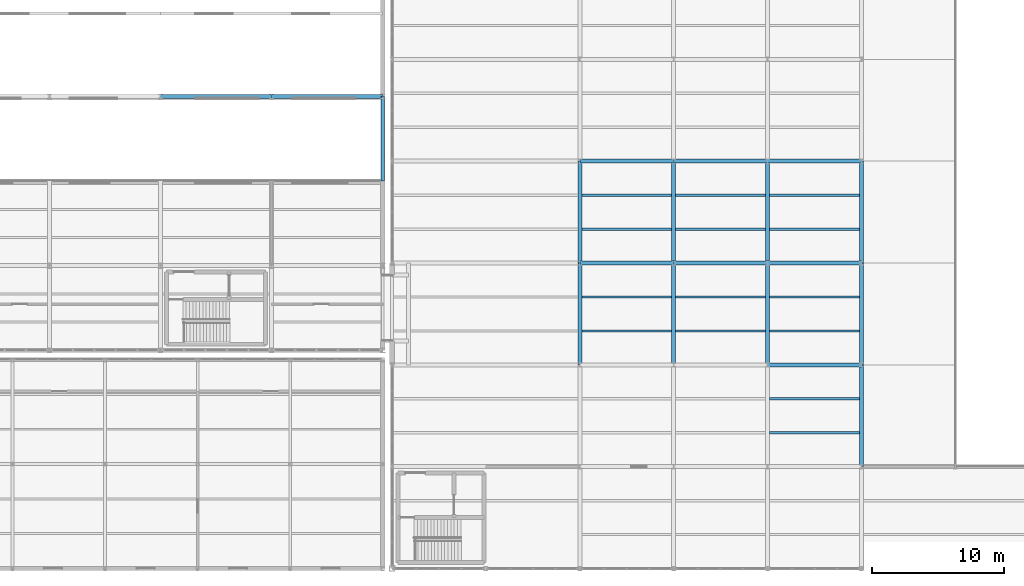
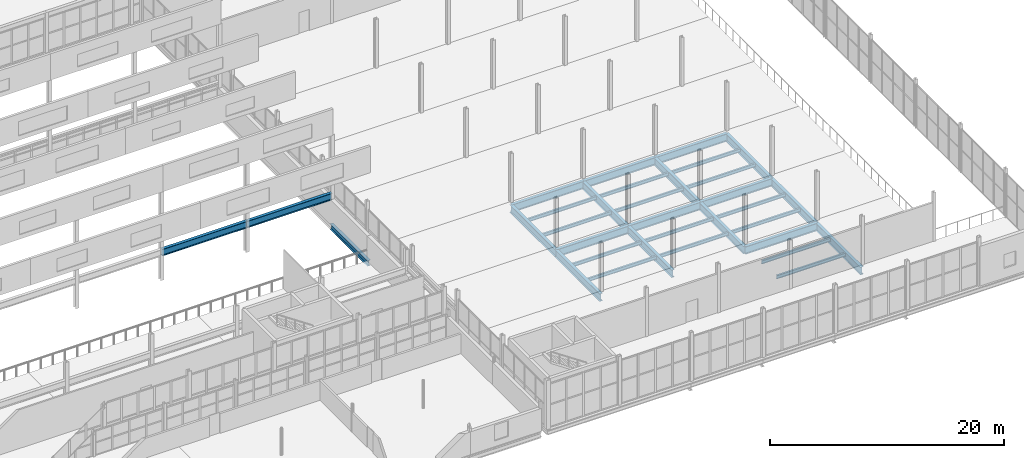
# One storey, part 121 of 218: 33 beams.
"""IFC4 building model written with IfcOpenShell, lengths in metres."""

from ifc_helpers import new_model, si_unit, direction, frame, origin, origin_2d, place, context, subcontext, project, spatial, i_section, extrude, material, material_profile, profile_set, type_object, element, save


model = new_model("IFC4")

# Units and contexts
model_context = context("Model", 3, precision=1e-05, world=origin(), true_north=direction((0.0, 1.0)))
body_context = subcontext(model_context, "Body", "Model", "MODEL_VIEW")
ifc_project = project(units=[si_unit("LENGTHUNIT", "METRE"), si_unit("AREAUNIT", "SQUARE_METRE"), si_unit("VOLUMEUNIT", "CUBIC_METRE"), si_unit("PLANEANGLEUNIT", "RADIAN"), si_unit("MASSUNIT", "GRAM", prefix="KILO")], contexts=[model_context])

# Site, building, storey
site_placement = place(None, origin())
site = spatial("IfcSite", under=ifc_project, at=site_placement, CompositionType="ELEMENT")
building_placement = place(site_placement, origin())
building = spatial("IfcBuilding", under=site, at=building_placement, Name="Kazenagashi Tramway Depot", CompositionType="ELEMENT")
storey_placement = place(building_placement, frame((0.0, 0.0, 6.0)))
storey = spatial("IfcBuildingStorey", under=building, at=storey_placement, Name="L02", CompositionType="ELEMENT", Elevation=6.0)

# Beams
ifc_material_1 = material(Name="Steel SN490B", Category="steel")
ifc_material_profile_1 = material_profile(ifc_material_1, i_section(OverallWidth=0.3, OverallDepth=0.7, WebThickness=0.013, FlangeThickness=0.024, at=origin_2d()), Name="H-700x300x13x24")
ifc_profile_set_1 = profile_set([ifc_material_profile_1], Name="Steel SN490B")
beam_type_1 = type_object("IfcBeamType", Name="G-02", PredefinedType="BEAM", material=ifc_profile_set_1)
for number, where, z_axis, x_axis, name in (
    (1, (128.8, 35.7, 2.85), (1.0, 0.0, 0.0), (0.0, 1.0, 0.0), "Beam G-02 BM-1171"),
    (2, (137.2, 35.7, 2.85), (1.0, 0.0, 0.0), (0.0, 1.0, 0.0), "Beam G-02 BM-1172"),
):
    element("IfcBeam", number, at=place(storey_placement, frame(where, z_axis=z_axis, x_axis=x_axis)), inside=storey, type_object=beam_type_1, Name=name, PredefinedType="BEAM", context=body_context, shape_type="SweptSolid", body=[
        extrude(i_section(OverallWidth=0.3, OverallDepth=0.7, WebThickness=0.013, FlangeThickness=0.024, at=origin_2d()), origin(), (0.0, 0.0, 1.0), 8.4),
    ])
ifc_material_profile_2 = material_profile(ifc_material_1, i_section(OverallWidth=0.3, OverallDepth=0.8, WebThickness=0.014, FlangeThickness=0.026, at=origin_2d()), Name="H-800x300x14x26")
ifc_profile_set_2 = profile_set([ifc_material_profile_2], Name="Steel SN490B")
beam_type_2 = type_object("IfcBeamType", Name="G-07", PredefinedType="BEAM", material=ifc_profile_set_2)
for number, where, z_axis, x_axis, name in (
    (3, (174.7, 15.4, -0.68), (1.0, 0.0, 0.0), (0.0, 1.0, 0.0), "Beam G-07 BM-1198"),
    (4, (160.5, 23.1, -0.68), (1.0, 0.0, 0.0), (0.0, 1.0, 0.0), "Beam G-07 BM-1200"),
    (5, (167.6, 23.1, -0.68), (1.0, 0.0, 0.0), (0.0, 1.0, 0.0), "Beam G-07 BM-1201"),
    (6, (174.7, 23.1, -0.68), (1.0, 0.0, 0.0), (0.0, 1.0, 0.0), "Beam G-07 BM-1202"),
    (7, (160.5, 30.8, -0.68), (1.0, 0.0, 0.0), (0.0, 1.0, 0.0), "Beam G-07 BM-1204"),
    (8, (167.6, 30.8, -0.68), (1.0, 0.0, 0.0), (0.0, 1.0, 0.0), "Beam G-07 BM-1205"),
    (9, (174.7, 30.8, -0.68), (1.0, 0.0, 0.0), (0.0, 1.0, 0.0), "Beam G-07 BM-1206"),
):
    element("IfcBeam", number, at=place(storey_placement, frame(where, z_axis=z_axis, x_axis=x_axis)), inside=storey, type_object=beam_type_2, Name=name, PredefinedType="BEAM", context=body_context, shape_type="SweptSolid", body=[
        extrude(i_section(OverallWidth=0.3, OverallDepth=0.8, WebThickness=0.014, FlangeThickness=0.026, at=origin_2d()), origin(), (0.0, 0.0, 1.0), 7.1),
    ])
for number, where, z_axis, x_axis, name in (
    (10, (160.5, 15.4, -0.68), (0.0, 1.0, 0.0), (-1.0, 0.0, 0.0), "Beam G-07 BM-1262"),
    (11, (160.5, 23.1, -0.68), (0.0, 1.0, 0.0), (-1.0, 0.0, 0.0), "Beam G-07 BM-1265"),
    (12, (167.6, 15.4, -0.68), (0.0, 1.0, 0.0), (-1.0, 0.0, 0.0), "Beam G-07 BM-1289"),
    (13, (167.6, 23.1, -0.68), (0.0, 1.0, 0.0), (-1.0, 0.0, 0.0), "Beam G-07 BM-1292"),
    (14, (174.7, 15.4, -0.68), (0.0, 1.0, 0.0), (-1.0, 0.0, 0.0), "Beam G-07 BM-1316"),
    (15, (174.7, 23.1, -0.68), (0.0, 1.0, 0.0), (-1.0, 0.0, 0.0), "Beam G-07 BM-1319"),
    (16, (181.8, 7.7, -0.68), (0.0, 1.0, 0.0), (-1.0, 0.0, 0.0), "Beam G-07 BM-1340"),
    (17, (181.8, 15.4, -0.68), (0.0, 1.0, 0.0), (-1.0, 0.0, 0.0), "Beam G-07 BM-1341"),
    (18, (181.8, 23.1, -0.68), (0.0, 1.0, 0.0), (-1.0, 0.0, 0.0), "Beam G-07 BM-1342"),
):
    element("IfcBeam", number, at=place(storey_placement, frame(where, z_axis=z_axis, x_axis=x_axis)), inside=storey, type_object=beam_type_2, Name=name, PredefinedType="BEAM", context=body_context, shape_type="SweptSolid", body=[
        extrude(i_section(OverallWidth=0.3, OverallDepth=0.8, WebThickness=0.014, FlangeThickness=0.026, at=origin_2d()), origin(), (0.0, 0.0, 1.0), 7.7),
    ])
ifc_material_2 = material(Name="Steel SN400B", Category="steel")
ifc_material_profile_3 = material_profile(ifc_material_2, i_section(OverallWidth=0.175, OverallDepth=0.35, WebThickness=0.007, FlangeThickness=0.011, at=origin_2d()), Name="H-350x175x7x11")
ifc_profile_set_3 = profile_set([ifc_material_profile_3], Name="Steel SN400B")
beam_type_3 = type_object("IfcBeamType", Name="J-01", PredefinedType="JOIST", material=ifc_profile_set_3)
for number, where, z_axis, x_axis, name in (
    (19, (160.65, 17.967, -0.455), (1.0, 0.0, 0.0), (0.0, 1.0, 0.0), "Beam J-01 BM-1263"),
    (20, (160.65, 20.533, -0.455), (1.0, 0.0, 0.0), (0.0, 1.0, 0.0), "Beam J-01 BM-1264"),
    (21, (160.65, 25.667, -0.455), (1.0, 0.0, 0.0), (0.0, 1.0, 0.0), "Beam J-01 BM-1266"),
    (22, (160.65, 28.233, -0.455), (1.0, 0.0, 0.0), (0.0, 1.0, 0.0), "Beam J-01 BM-1267"),
    (23, (167.75, 17.967, -0.455), (1.0, 0.0, 0.0), (0.0, 1.0, 0.0), "Beam J-01 BM-1290"),
    (24, (167.75, 20.533, -0.455), (1.0, 0.0, 0.0), (0.0, 1.0, 0.0), "Beam J-01 BM-1291"),
    (25, (167.75, 25.667, -0.455), (1.0, 0.0, 0.0), (0.0, 1.0, 0.0), "Beam J-01 BM-1293"),
    (26, (167.75, 28.233, -0.455), (1.0, 0.0, 0.0), (0.0, 1.0, 0.0), "Beam J-01 BM-1294"),
    (27, (174.85, 10.267, -0.455), (1.0, 0.0, 0.0), (0.0, 1.0, 0.0), "Beam J-01 BM-1314"),
    (28, (174.85, 12.833, -0.455), (1.0, 0.0, 0.0), (0.0, 1.0, 0.0), "Beam J-01 BM-1315"),
    (29, (174.85, 17.967, -0.455), (1.0, 0.0, 0.0), (0.0, 1.0, 0.0), "Beam J-01 BM-1317"),
    (30, (174.85, 20.533, -0.455), (1.0, 0.0, 0.0), (0.0, 1.0, 0.0), "Beam J-01 BM-1318"),
    (31, (174.85, 25.667, -0.455), (1.0, 0.0, 0.0), (0.0, 1.0, 0.0), "Beam J-01 BM-1320"),
    (32, (174.85, 28.233, -0.455), (1.0, 0.0, 0.0), (0.0, 1.0, 0.0), "Beam J-01 BM-1321"),
):
    element("IfcBeam", number, at=place(storey_placement, frame(where, z_axis=z_axis, x_axis=x_axis)), inside=storey, type_object=beam_type_3, Name=name, PredefinedType="JOIST", context=body_context, shape_type="SweptSolid", body=[
        extrude(i_section(OverallWidth=0.175, OverallDepth=0.35, WebThickness=0.007, FlangeThickness=0.011, at=origin_2d()), origin(), (0.0, 0.0, 1.0), 6.8),
    ])
ifc_material_profile_4 = material_profile(ifc_material_1, i_section(OverallWidth=0.3, OverallDepth=0.588, WebThickness=0.012, FlangeThickness=0.02, at=origin_2d()), Name="H-588x300x12x20")
ifc_profile_set_4 = profile_set([ifc_material_profile_4], Name="Steel SN490B")
beam_type_4 = type_object("IfcBeamType", Name="SP-01", PredefinedType="SPANDREL", material=ifc_profile_set_4)
beam_placement = place(storey_placement, frame((145.6, 29.3, -0.314), z_axis=(0.0, 1.0, 0.0), x_axis=(-1.0, 0.0, 0.0)))
element("IfcBeam", 33, at=beam_placement, inside=storey, type_object=beam_type_4, Name="Beam SP-01 BM-2356", PredefinedType="SPANDREL", context=body_context, shape_type="SweptSolid", body=[
    extrude(i_section(OverallWidth=0.3, OverallDepth=0.588, WebThickness=0.012, FlangeThickness=0.02, at=origin_2d()), origin(), (0.0, 0.0, 1.0), 6.4),
])

save(model, "model.ifc")
